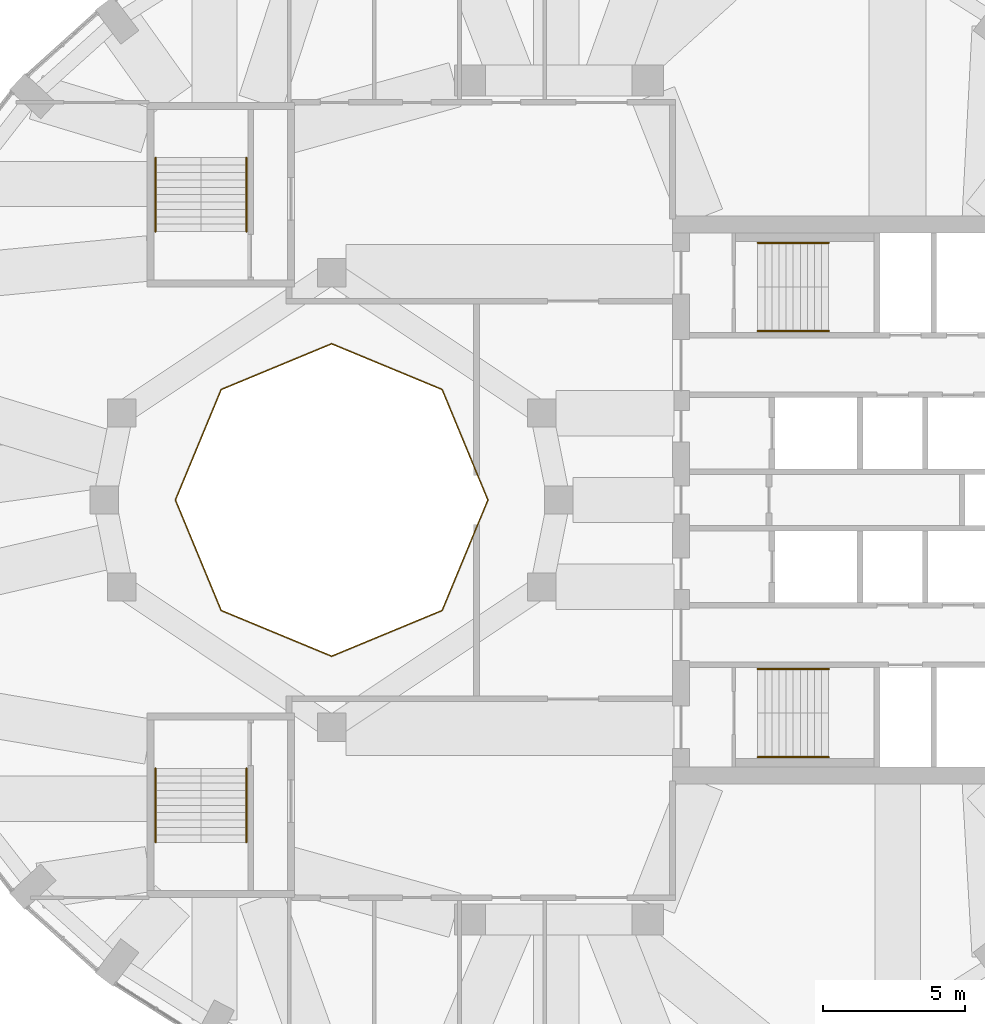
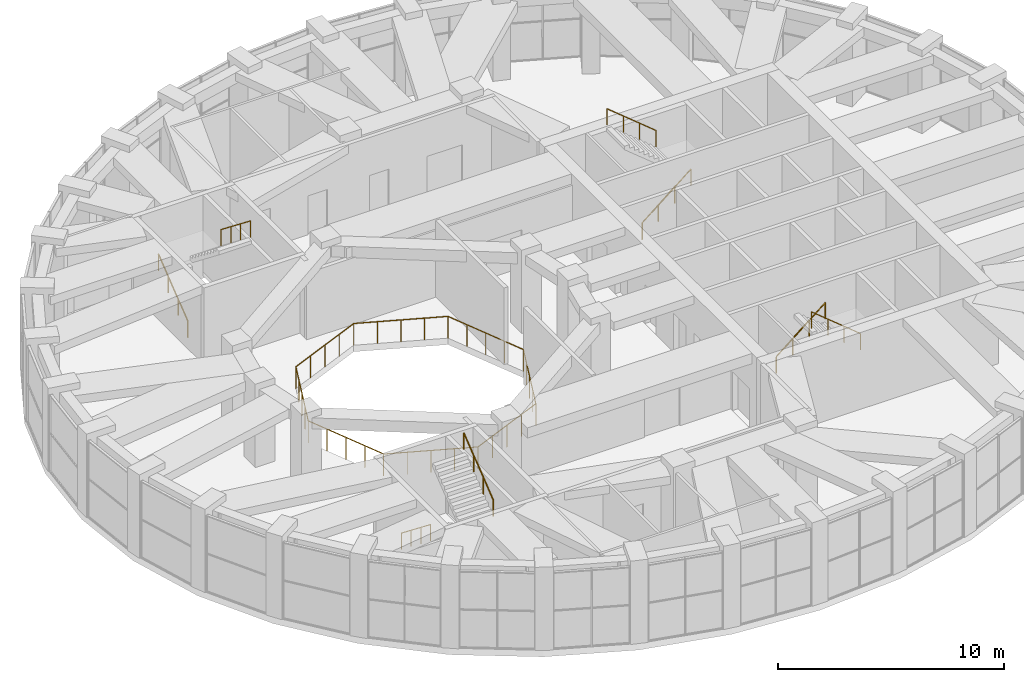
# One storey, part 17 of 17: 10 railings.
"""IFC4 building model written with IfcOpenShell, lengths in metres."""

from ifc_helpers import new_model, si_unit, direction, frame, origin, origin_2d, place, context, subcontext, project, spatial, circle, extrude, material, type_object, element, save


model = new_model("IFC4")

# Units and contexts
model_context = context("Model", 3, precision=1e-05, world=origin(), true_north=direction((0.0, 1.0)))
body_context = subcontext(model_context, "Body", "Model", "MODEL_VIEW")
ifc_project = project(units=[si_unit("LENGTHUNIT", "METRE"), si_unit("AREAUNIT", "SQUARE_METRE"), si_unit("VOLUMEUNIT", "CUBIC_METRE"), si_unit("PLANEANGLEUNIT", "RADIAN"), si_unit("MASSUNIT", "GRAM", prefix="KILO")], contexts=[model_context])

# Site, building, storey
site_placement = place(None, origin())
site = spatial("IfcSite", under=ifc_project, at=site_placement, CompositionType="ELEMENT")
building_placement = place(site_placement, origin())
building = spatial("IfcBuilding", under=site, at=building_placement, Name="Taillehof Tower", CompositionType="ELEMENT")
storey_placement = place(building_placement, frame((0.0, 0.0, 259.699951171875)))
storey = spatial("IfcBuildingStorey", under=building, at=storey_placement, Name="L74", CompositionType="ELEMENT", Elevation=259.699951171875)

# Railings
ifc_material_1 = material(Name="Stainless steel and laminated glass", Category="steel")
railing_type_1 = type_object("IfcRailingType", Name="Guard 1200 mm", PredefinedType="GUARDRAIL", material=ifc_material_1)
railing_1_placement = place(storey_placement, frame((-2.5, 0.0, 0.0)))
element("IfcRailing", 1, at=railing_1_placement, inside=storey, type_object=railing_type_1, Name="Guard atrium", PredefinedType="GUARDRAIL", context=body_context, shape_type="SweptSolid", body=[
    extrude(circle(Radius=0.02392578125, at=origin_2d()), frame((0.0, 0.0, 1.17578125), z_axis=(-0.38266253946, 0.923888186359, 0.0), x_axis=(-0.923888186359, -0.38266253946, 0.0)), (0.0, 0.0, 1.0), 4.20947265625),
    extrude(circle(Radius=0.02392578125, at=origin_2d()), frame((-1.61083984375, 3.88916015625, 1.17578125), z_axis=(-0.923888186359, 0.38266253946, 0.0), x_axis=(-0.38266253946, -0.923888186359, 0.0)), (0.0, 0.0, 1.0), 4.20947265625),
    extrude(circle(Radius=0.02392578125, at=origin_2d()), frame((-5.5, 5.5, 1.17578125), z_axis=(-0.923888186359, -0.38266253946, 0.0), x_axis=(0.38266253946, -0.923888186359, 0.0)), (0.0, 0.0, 1.0), 4.20947265625),
    extrude(circle(Radius=0.02392578125, at=origin_2d()), frame((-9.38916015625, 3.88916015625, 1.17578125), z_axis=(-0.38266253946, -0.923888186359, 0.0), x_axis=(0.923888186359, -0.38266253946, 0.0)), (0.0, 0.0, 1.0), 4.20947265625),
    extrude(circle(Radius=0.02099609375, at=origin_2d()), origin(), (0.0, 0.0, 1.0), 1.15185546875),
    extrude(circle(Radius=0.02099609375, at=origin_2d()), frame((-0.40283203125, 0.97216796875, 0.0)), (0.0, 0.0, 1.0), 1.15185546875),
    extrude(circle(Radius=0.02099609375, at=origin_2d()), frame((-0.805419921875, 1.944580078125, 0.0)), (0.0, 0.0, 1.0), 1.15185546875),
    extrude(circle(Radius=0.02099609375, at=origin_2d()), frame((-1.2080078125, 2.9169921875, 0.0)), (0.0, 0.0, 1.0), 1.15185546875),
    extrude(circle(Radius=0.02099609375, at=origin_2d()), frame((-1.61083984375, 3.88916015625, 0.0)), (0.0, 0.0, 1.0), 1.15185546875),
    extrude(circle(Radius=0.02099609375, at=origin_2d()), frame((-2.5830078125, 4.2919921875, 0.0)), (0.0, 0.0, 1.0), 1.15185546875),
    extrude(circle(Radius=0.02099609375, at=origin_2d()), frame((-3.555419921875, 4.694580078125, 0.0)), (0.0, 0.0, 1.0), 1.15185546875),
    extrude(circle(Radius=0.02099609375, at=origin_2d()), frame((-4.52783203125, 5.09716796875, 0.0)), (0.0, 0.0, 1.0), 1.15185546875),
    extrude(circle(Radius=0.02099609375, at=origin_2d()), frame((-5.5, 5.5, 0.0)), (0.0, 0.0, 1.0), 1.15185546875),
    extrude(circle(Radius=0.02099609375, at=origin_2d()), frame((-6.47216796875, 5.09716796875, 0.0)), (0.0, 0.0, 1.0), 1.15185546875),
    extrude(circle(Radius=0.02099609375, at=origin_2d()), frame((-7.444580078125, 4.694580078125, 0.0)), (0.0, 0.0, 1.0), 1.15185546875),
    extrude(circle(Radius=0.02099609375, at=origin_2d()), frame((-8.4169921875, 4.2919921875, 0.0)), (0.0, 0.0, 1.0), 1.15185546875),
    extrude(circle(Radius=0.02099609375, at=origin_2d()), frame((-9.38916015625, 3.88916015625, 0.0)), (0.0, 0.0, 1.0), 1.15185546875),
    extrude(circle(Radius=0.02099609375, at=origin_2d()), frame((-9.7919921875, 2.9169921875, 0.0)), (0.0, 0.0, 1.0), 1.15185546875),
    extrude(circle(Radius=0.02099609375, at=origin_2d()), frame((-10.194580078125, 1.944580078125, 0.0)), (0.0, 0.0, 1.0), 1.15185546875),
    extrude(circle(Radius=0.02099609375, at=origin_2d()), frame((-10.59716796875, 0.97216796875, 0.0)), (0.0, 0.0, 1.0), 1.15185546875),
    extrude(circle(Radius=0.02099609375, at=origin_2d()), frame((-11.0, 0.0, 0.0)), (0.0, 0.0, 1.0), 1.15185546875),
])
railing_2_placement = place(storey_placement, frame((-13.5, 0.0, 0.0)))
element("IfcRailing", 2, at=railing_2_placement, inside=storey, type_object=railing_type_1, Name="Guard atrium", PredefinedType="GUARDRAIL", context=body_context, shape_type="SweptSolid", body=[
    extrude(circle(Radius=0.02392578125, at=origin_2d()), frame((0.0, 0.0, 1.17578125), z_axis=(0.38266253946, -0.923888186359, 0.0), x_axis=(0.923888186359, 0.38266253946, 0.0)), (0.0, 0.0, 1.0), 4.20947265625),
    extrude(circle(Radius=0.02392578125, at=origin_2d()), frame((1.61083984375, -3.88916015625, 1.17578125), z_axis=(0.923888186359, -0.38266253946, 0.0), x_axis=(0.38266253946, 0.923888186359, 0.0)), (0.0, 0.0, 1.0), 4.20947265625),
    extrude(circle(Radius=0.02392578125, at=origin_2d()), frame((5.5, -5.5, 1.17578125), z_axis=(0.923888186359, 0.38266253946, 0.0), x_axis=(-0.38266253946, 0.923888186359, 0.0)), (0.0, 0.0, 1.0), 4.20947265625),
    extrude(circle(Radius=0.02392578125, at=origin_2d()), frame((9.38916015625, -3.88916015625, 1.17578125), z_axis=(0.38266253946, 0.923888186359, 0.0), x_axis=(-0.923888186359, 0.38266253946, 0.0)), (0.0, 0.0, 1.0), 4.20947265625),
    extrude(circle(Radius=0.02099609375, at=origin_2d()), origin(), (0.0, 0.0, 1.0), 1.15185546875),
    extrude(circle(Radius=0.02099609375, at=origin_2d()), frame((0.40283203125, -0.97216796875, 0.0)), (0.0, 0.0, 1.0), 1.15185546875),
    extrude(circle(Radius=0.02099609375, at=origin_2d()), frame((0.805419921875, -1.944580078125, 0.0)), (0.0, 0.0, 1.0), 1.15185546875),
    extrude(circle(Radius=0.02099609375, at=origin_2d()), frame((1.2080078125, -2.9169921875, 0.0)), (0.0, 0.0, 1.0), 1.15185546875),
    extrude(circle(Radius=0.02099609375, at=origin_2d()), frame((1.61083984375, -3.88916015625, 0.0)), (0.0, 0.0, 1.0), 1.15185546875),
    extrude(circle(Radius=0.02099609375, at=origin_2d()), frame((2.5830078125, -4.2919921875, 0.0)), (0.0, 0.0, 1.0), 1.15185546875),
    extrude(circle(Radius=0.02099609375, at=origin_2d()), frame((3.555419921875, -4.694580078125, 0.0)), (0.0, 0.0, 1.0), 1.15185546875),
    extrude(circle(Radius=0.02099609375, at=origin_2d()), frame((4.52783203125, -5.09716796875, 0.0)), (0.0, 0.0, 1.0), 1.15185546875),
    extrude(circle(Radius=0.02099609375, at=origin_2d()), frame((5.5, -5.5, 0.0)), (0.0, 0.0, 1.0), 1.15185546875),
    extrude(circle(Radius=0.02099609375, at=origin_2d()), frame((6.47216796875, -5.09716796875, 0.0)), (0.0, 0.0, 1.0), 1.15185546875),
    extrude(circle(Radius=0.02099609375, at=origin_2d()), frame((7.444580078125, -4.694580078125, 0.0)), (0.0, 0.0, 1.0), 1.15185546875),
    extrude(circle(Radius=0.02099609375, at=origin_2d()), frame((8.4169921875, -4.2919921875, 0.0)), (0.0, 0.0, 1.0), 1.15185546875),
    extrude(circle(Radius=0.02099609375, at=origin_2d()), frame((9.38916015625, -3.88916015625, 0.0)), (0.0, 0.0, 1.0), 1.15185546875),
    extrude(circle(Radius=0.02099609375, at=origin_2d()), frame((9.7919921875, -2.9169921875, 0.0)), (0.0, 0.0, 1.0), 1.15185546875),
    extrude(circle(Radius=0.02099609375, at=origin_2d()), frame((10.194580078125, -1.944580078125, 0.0)), (0.0, 0.0, 1.0), 1.15185546875),
    extrude(circle(Radius=0.02099609375, at=origin_2d()), frame((10.59716796875, -0.97216796875, 0.0)), (0.0, 0.0, 1.0), 1.15185546875),
    extrude(circle(Radius=0.02099609375, at=origin_2d()), frame((11.0, 0.0, 0.0)), (0.0, 0.0, 1.0), 1.15185546875),
])
ifc_material_2 = material(Name="Stainless steel", Category="steel")
railing_type_2 = type_object("IfcRailingType", Name="Stair handrail 900", PredefinedType="HANDRAIL", material=ifc_material_2)
railing_3_placement = place(storey_placement, frame((7.0, 5.949951171875, 0.20458984375)))
element("IfcRailing", 3, at=railing_3_placement, inside=storey, type_object=railing_type_2, Name="Stair S1 handrail", PredefinedType="HANDRAIL", context=body_context, shape_type="SweptSolid", body=[
    extrude(circle(Radius=0.02392578125, at=origin_2d()), frame((0.0, 0.0, 0.8759765625), z_axis=(0.773964034227, 0.0, 0.633229558472), x_axis=(0.0, 1.0, 0.0)), (0.0, 0.0, 1.0), 3.230224609375),
    extrude(circle(Radius=0.02099609375, at=origin_2d()), origin(), (0.0, 0.0, 1.0), 0.851806640625),
    extrude(circle(Radius=0.02099609375, at=origin_2d()), frame((0.833251953125, 0.0, 0.681884765625)), (0.0, 0.0, 1.0), 0.851806640625),
    extrude(circle(Radius=0.02099609375, at=origin_2d()), frame((1.666748046875, 0.0, 1.363525390625)), (0.0, 0.0, 1.0), 0.851806640625),
    extrude(circle(Radius=0.02099609375, at=origin_2d()), frame((2.5, 0.0, 2.04541015625)), (0.0, 0.0, 1.0), 0.851806640625),
])
railing_4_placement = place(storey_placement, frame((9.5, 9.050048828125, 2.45458984375)))
element("IfcRailing", 4, at=railing_4_placement, inside=storey, type_object=railing_type_2, Name="Stair S1 handrail", PredefinedType="HANDRAIL", context=body_context, shape_type="SweptSolid", body=[
    extrude(circle(Radius=0.02392578125, at=origin_2d()), frame((0.0, 0.0, 0.8759765625), z_axis=(-0.773964034227, 0.0, 0.633229558472), x_axis=(0.0, -1.0, 0.0)), (0.0, 0.0, 1.0), 3.230224609375),
    extrude(circle(Radius=0.02099609375, at=origin_2d()), origin(), (0.0, 0.0, 1.0), 0.851806640625),
    extrude(circle(Radius=0.02099609375, at=origin_2d()), frame((-0.833251953125, 0.0, 0.681884765625)), (0.0, 0.0, 1.0), 0.851806640625),
    extrude(circle(Radius=0.02099609375, at=origin_2d()), frame((-1.666748046875, 0.0, 1.363525390625)), (0.0, 0.0, 1.0), 0.851806640625),
    extrude(circle(Radius=0.02099609375, at=origin_2d()), frame((-2.5, 0.0, 2.04541015625)), (0.0, 0.0, 1.0), 0.851806640625),
])
railing_5_placement = place(storey_placement, frame((7.0, -5.949951171875, 0.20458984375)))
element("IfcRailing", 5, at=railing_5_placement, inside=storey, type_object=railing_type_2, Name="Stair S2 handrail", PredefinedType="HANDRAIL", context=body_context, shape_type="SweptSolid", body=[
    extrude(circle(Radius=0.02392578125, at=origin_2d()), frame((0.0, 0.0, 0.8759765625), z_axis=(0.773964034227, 0.0, 0.633229558472), x_axis=(0.0, 1.0, 0.0)), (0.0, 0.0, 1.0), 3.230224609375),
    extrude(circle(Radius=0.02099609375, at=origin_2d()), origin(), (0.0, 0.0, 1.0), 0.851806640625),
    extrude(circle(Radius=0.02099609375, at=origin_2d()), frame((0.833251953125, 0.0, 0.681884765625)), (0.0, 0.0, 1.0), 0.851806640625),
    extrude(circle(Radius=0.02099609375, at=origin_2d()), frame((1.666748046875, 0.0, 1.363525390625)), (0.0, 0.0, 1.0), 0.851806640625),
    extrude(circle(Radius=0.02099609375, at=origin_2d()), frame((2.5, 0.0, 2.04541015625)), (0.0, 0.0, 1.0), 0.851806640625),
])
railing_6_placement = place(storey_placement, frame((9.5, -9.050048828125, 2.45458984375)))
element("IfcRailing", 6, at=railing_6_placement, inside=storey, type_object=railing_type_2, Name="Stair S2 handrail", PredefinedType="HANDRAIL", context=body_context, shape_type="SweptSolid", body=[
    extrude(circle(Radius=0.02392578125, at=origin_2d()), frame((0.0, 0.0, 0.8759765625), z_axis=(-0.773964034227, 0.0, 0.633229558472), x_axis=(0.0, -1.0, 0.0)), (0.0, 0.0, 1.0), 3.230224609375),
    extrude(circle(Radius=0.02099609375, at=origin_2d()), origin(), (0.0, 0.0, 1.0), 0.851806640625),
    extrude(circle(Radius=0.02099609375, at=origin_2d()), frame((-0.833251953125, 0.0, 0.681884765625)), (0.0, 0.0, 1.0), 0.851806640625),
    extrude(circle(Radius=0.02099609375, at=origin_2d()), frame((-1.666748046875, 0.0, 1.363525390625)), (0.0, 0.0, 1.0), 0.851806640625),
    extrude(circle(Radius=0.02099609375, at=origin_2d()), frame((-2.5, 0.0, 2.04541015625)), (0.0, 0.0, 1.0), 0.851806640625),
])
railing_7_placement = place(storey_placement, frame((-14.199951171875, 9.449951171875, 0.20458984375)))
element("IfcRailing", 7, at=railing_7_placement, inside=storey, type_object=railing_type_2, Name="Stair S3 handrail", PredefinedType="HANDRAIL", context=body_context, shape_type="SweptSolid", body=[
    extrude(circle(Radius=0.02392578125, at=origin_2d()), frame((0.0, 0.0, 0.8759765625), z_axis=(0.0, 0.785954564337, 0.618284257278), x_axis=(-1.0, 0.0, 0.0)), (0.0, 0.0, 1.0), 3.30810546875),
    extrude(circle(Radius=0.02099609375, at=origin_2d()), origin(), (0.0, 0.0, 1.0), 0.851806640625),
    extrude(circle(Radius=0.02099609375, at=origin_2d()), frame((0.0, 0.86669921875, 0.681884765625)), (0.0, 0.0, 1.0), 0.851806640625),
    extrude(circle(Radius=0.02099609375, at=origin_2d()), frame((0.0, 1.7333984375, 1.363525390625)), (0.0, 0.0, 1.0), 0.851806640625),
    extrude(circle(Radius=0.02099609375, at=origin_2d()), frame((0.0, 2.60009765625, 2.04541015625)), (0.0, 0.0, 1.0), 0.851806640625),
])
for number, where, name in (
    (8, (-11.0, 12.050048828125, 2.45458984375), "Stair S3 handrail"),
    (9, (-14.199951171875, -9.449951171875, 0.20458984375), "Stair S4 handrail"),
):
    element("IfcRailing", number, at=place(storey_placement, frame(where)), inside=storey, type_object=railing_type_2, Name=name, PredefinedType="HANDRAIL", context=body_context, shape_type="SweptSolid", body=[
        extrude(circle(Radius=0.02392578125, at=origin_2d()), frame((0.0, 0.0, 0.8759765625), z_axis=(0.0, -0.785954564337, 0.618284257278), x_axis=(1.0, 0.0, 0.0)), (0.0, 0.0, 1.0), 3.30810546875),
        extrude(circle(Radius=0.02099609375, at=origin_2d()), origin(), (0.0, 0.0, 1.0), 0.851806640625),
        extrude(circle(Radius=0.02099609375, at=origin_2d()), frame((0.0, -0.86669921875, 0.681884765625)), (0.0, 0.0, 1.0), 0.851806640625),
        extrude(circle(Radius=0.02099609375, at=origin_2d()), frame((0.0, -1.7333984375, 1.363525390625)), (0.0, 0.0, 1.0), 0.851806640625),
        extrude(circle(Radius=0.02099609375, at=origin_2d()), frame((0.0, -2.60009765625, 2.04541015625)), (0.0, 0.0, 1.0), 0.851806640625),
    ])
railing_8_placement = place(storey_placement, frame((-11.0, -12.050048828125, 2.45458984375)))
element("IfcRailing", 10, at=railing_8_placement, inside=storey, type_object=railing_type_2, Name="Stair S4 handrail", PredefinedType="HANDRAIL", context=body_context, shape_type="SweptSolid", body=[
    extrude(circle(Radius=0.02392578125, at=origin_2d()), frame((0.0, 0.0, 0.8759765625), z_axis=(0.0, 0.785954564337, 0.618284257278), x_axis=(-1.0, 0.0, 0.0)), (0.0, 0.0, 1.0), 3.30810546875),
    extrude(circle(Radius=0.02099609375, at=origin_2d()), origin(), (0.0, 0.0, 1.0), 0.851806640625),
    extrude(circle(Radius=0.02099609375, at=origin_2d()), frame((0.0, 0.86669921875, 0.681884765625)), (0.0, 0.0, 1.0), 0.851806640625),
    extrude(circle(Radius=0.02099609375, at=origin_2d()), frame((0.0, 1.7333984375, 1.363525390625)), (0.0, 0.0, 1.0), 0.851806640625),
    extrude(circle(Radius=0.02099609375, at=origin_2d()), frame((0.0, 2.60009765625, 2.04541015625)), (0.0, 0.0, 1.0), 0.851806640625),
])

save(model, "model.ifc")
